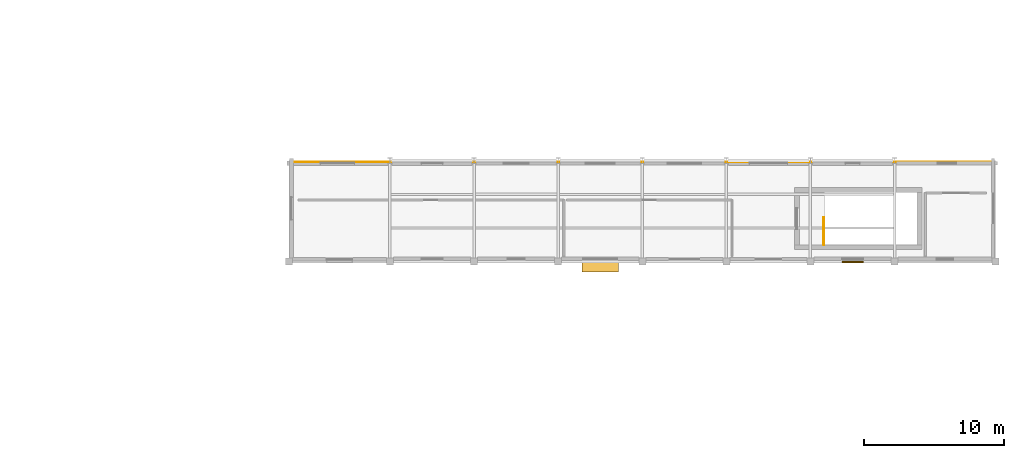
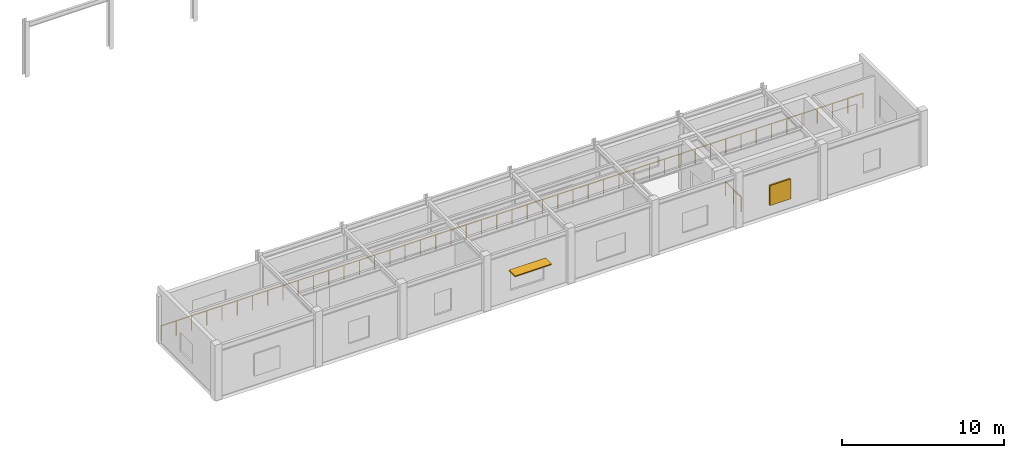
# One storey, part 47 of 47: 2 railings, 2 shading devices.
"""IFC4 building model written with IfcOpenShell, lengths in metres."""

from ifc_helpers import new_model, si_unit, direction, frame, origin, origin_2d, place, context, subcontext, project, spatial, rectangle, circle, extrude, material, layer, layer_set, type_object, element, save


model = new_model("IFC4")

# Units and contexts
model_context = context("Model", 3, precision=1e-05, world=origin(), true_north=direction((0.0, 1.0)))
body_context = subcontext(model_context, "Body", "Model", "MODEL_VIEW")
ifc_project = project(units=[si_unit("LENGTHUNIT", "METRE"), si_unit("AREAUNIT", "SQUARE_METRE"), si_unit("VOLUMEUNIT", "CUBIC_METRE"), si_unit("PLANEANGLEUNIT", "RADIAN"), si_unit("MASSUNIT", "GRAM", prefix="KILO")], contexts=[model_context])

# Site, building, storey
site_placement = place(None, origin())
site = spatial("IfcSite", under=ifc_project, at=site_placement, CompositionType="ELEMENT")
building_placement = place(site_placement, origin())
building = spatial("IfcBuilding", under=site, at=building_placement, Name="Brisavento Harbour Community Centre", CompositionType="ELEMENT")
storey_placement = place(building_placement, frame((0.0, 0.0, 8.699951171875)))
storey = spatial("IfcBuildingStorey", under=building, at=storey_placement, Name="L02", CompositionType="ELEMENT", Elevation=8.699951171875)

# Railings
ifc_material_1 = material(Name="Stainless steel 1.4401", Category="steel")
railing_type_1 = type_object("IfcRailingType", Name="RL-ATR-BAL", PredefinedType="BALUSTRADE", material=ifc_material_1)
railing_1_placement = place(storey_placement, frame((122.550048828125, 86.300048828125, 0.0)))
element("IfcRailing", 1, at=railing_1_placement, inside=storey, type_object=railing_type_1, Name="L02 atrium and gallery balustrade BAL-V4-UP-S", PredefinedType="BALUSTRADE", context=body_context, shape_type="SweptSolid", body=[
    extrude(circle(Radius=0.02392578125, at=origin_2d()), frame((0.0, 0.0, 1.09619140625), z_axis=(1.0, 0.0, 0.0), x_axis=(0.0, 1.0, 0.0)), (0.0, 0.0, 1.0), 50.099853515625),
    extrude(circle(Radius=0.02099609375, at=origin_2d()), origin(), (0.0, 0.0, 1.0), 1.072021484375),
    extrude(circle(Radius=0.02099609375, at=origin_2d()), frame((1.089111328125, 0.0, 0.0)), (0.0, 0.0, 1.0), 1.072021484375),
    extrude(circle(Radius=0.02099609375, at=origin_2d()), frame((2.17822265625, 0.0, 0.0)), (0.0, 0.0, 1.0), 1.072021484375),
    extrude(circle(Radius=0.02099609375, at=origin_2d()), frame((3.267333984375, 0.0, 0.0)), (0.0, 0.0, 1.0), 1.072021484375),
    extrude(circle(Radius=0.02099609375, at=origin_2d()), frame((4.3564453125, 0.0, 0.0)), (0.0, 0.0, 1.0), 1.072021484375),
    extrude(circle(Radius=0.02099609375, at=origin_2d()), frame((5.445556640625, 0.0, 0.0)), (0.0, 0.0, 1.0), 1.072021484375),
    extrude(circle(Radius=0.02099609375, at=origin_2d()), frame((6.53466796875, 0.0, 0.0)), (0.0, 0.0, 1.0), 1.072021484375),
    extrude(circle(Radius=0.02099609375, at=origin_2d()), frame((7.623779296875, 0.0, 0.0)), (0.0, 0.0, 1.0), 1.072021484375),
    extrude(circle(Radius=0.02099609375, at=origin_2d()), frame((8.713134765625, 0.0, 0.0)), (0.0, 0.0, 1.0), 1.072021484375),
    extrude(circle(Radius=0.02099609375, at=origin_2d()), frame((9.80224609375, 0.0, 0.0)), (0.0, 0.0, 1.0), 1.072021484375),
    extrude(circle(Radius=0.02099609375, at=origin_2d()), frame((10.891357421875, 0.0, 0.0)), (0.0, 0.0, 1.0), 1.072021484375),
    extrude(circle(Radius=0.02099609375, at=origin_2d()), frame((11.98046875, 0.0, 0.0)), (0.0, 0.0, 1.0), 1.072021484375),
    extrude(circle(Radius=0.02099609375, at=origin_2d()), frame((13.069580078125, 0.0, 0.0)), (0.0, 0.0, 1.0), 1.072021484375),
    extrude(circle(Radius=0.02099609375, at=origin_2d()), frame((14.15869140625, 0.0, 0.0)), (0.0, 0.0, 1.0), 1.072021484375),
    extrude(circle(Radius=0.02099609375, at=origin_2d()), frame((15.247802734375, 0.0, 0.0)), (0.0, 0.0, 1.0), 1.072021484375),
    extrude(circle(Radius=0.02099609375, at=origin_2d()), frame((16.3369140625, 0.0, 0.0)), (0.0, 0.0, 1.0), 1.072021484375),
    extrude(circle(Radius=0.02099609375, at=origin_2d()), frame((17.426025390625, 0.0, 0.0)), (0.0, 0.0, 1.0), 1.072021484375),
    extrude(circle(Radius=0.02099609375, at=origin_2d()), frame((18.51513671875, 0.0, 0.0)), (0.0, 0.0, 1.0), 1.072021484375),
    extrude(circle(Radius=0.02099609375, at=origin_2d()), frame((19.604248046875, 0.0, 0.0)), (0.0, 0.0, 1.0), 1.072021484375),
    extrude(circle(Radius=0.02099609375, at=origin_2d()), frame((20.693359375, 0.0, 0.0)), (0.0, 0.0, 1.0), 1.072021484375),
    extrude(circle(Radius=0.02099609375, at=origin_2d()), frame((21.782470703125, 0.0, 0.0)), (0.0, 0.0, 1.0), 1.072021484375),
    extrude(circle(Radius=0.02099609375, at=origin_2d()), frame((22.87158203125, 0.0, 0.0)), (0.0, 0.0, 1.0), 1.072021484375),
    extrude(circle(Radius=0.02099609375, at=origin_2d()), frame((23.960693359375, 0.0, 0.0)), (0.0, 0.0, 1.0), 1.072021484375),
    extrude(circle(Radius=0.02099609375, at=origin_2d()), frame((25.0498046875, 0.0, 0.0)), (0.0, 0.0, 1.0), 1.072021484375),
    extrude(circle(Radius=0.02099609375, at=origin_2d()), frame((26.13916015625, 0.0, 0.0)), (0.0, 0.0, 1.0), 1.072021484375),
    extrude(circle(Radius=0.02099609375, at=origin_2d()), frame((27.228271484375, 0.0, 0.0)), (0.0, 0.0, 1.0), 1.072021484375),
    extrude(circle(Radius=0.02099609375, at=origin_2d()), frame((28.3173828125, 0.0, 0.0)), (0.0, 0.0, 1.0), 1.072021484375),
    extrude(circle(Radius=0.02099609375, at=origin_2d()), frame((29.406494140625, 0.0, 0.0)), (0.0, 0.0, 1.0), 1.072021484375),
    extrude(circle(Radius=0.02099609375, at=origin_2d()), frame((30.49560546875, 0.0, 0.0)), (0.0, 0.0, 1.0), 1.072021484375),
    extrude(circle(Radius=0.02099609375, at=origin_2d()), frame((31.584716796875, 0.0, 0.0)), (0.0, 0.0, 1.0), 1.072021484375),
    extrude(circle(Radius=0.02099609375, at=origin_2d()), frame((32.673828125, 0.0, 0.0)), (0.0, 0.0, 1.0), 1.072021484375),
    extrude(circle(Radius=0.02099609375, at=origin_2d()), frame((33.762939453125, 0.0, 0.0)), (0.0, 0.0, 1.0), 1.072021484375),
    extrude(circle(Radius=0.02099609375, at=origin_2d()), frame((34.85205078125, 0.0, 0.0)), (0.0, 0.0, 1.0), 1.072021484375),
    extrude(circle(Radius=0.02099609375, at=origin_2d()), frame((35.941162109375, 0.0, 0.0)), (0.0, 0.0, 1.0), 1.072021484375),
    extrude(circle(Radius=0.02099609375, at=origin_2d()), frame((37.0302734375, 0.0, 0.0)), (0.0, 0.0, 1.0), 1.072021484375),
    extrude(circle(Radius=0.02099609375, at=origin_2d()), frame((38.119384765625, 0.0, 0.0)), (0.0, 0.0, 1.0), 1.072021484375),
    extrude(circle(Radius=0.02099609375, at=origin_2d()), frame((39.20849609375, 0.0, 0.0)), (0.0, 0.0, 1.0), 1.072021484375),
    extrude(circle(Radius=0.02099609375, at=origin_2d()), frame((40.297607421875, 0.0, 0.0)), (0.0, 0.0, 1.0), 1.072021484375),
    extrude(circle(Radius=0.02099609375, at=origin_2d()), frame((41.38671875, 0.0, 0.0)), (0.0, 0.0, 1.0), 1.072021484375),
    extrude(circle(Radius=0.02099609375, at=origin_2d()), frame((42.47607421875, 0.0, 0.0)), (0.0, 0.0, 1.0), 1.072021484375),
    extrude(circle(Radius=0.02099609375, at=origin_2d()), frame((43.565185546875, 0.0, 0.0)), (0.0, 0.0, 1.0), 1.072021484375),
    extrude(circle(Radius=0.02099609375, at=origin_2d()), frame((44.654296875, 0.0, 0.0)), (0.0, 0.0, 1.0), 1.072021484375),
    extrude(circle(Radius=0.02099609375, at=origin_2d()), frame((45.743408203125, 0.0, 0.0)), (0.0, 0.0, 1.0), 1.072021484375),
    extrude(circle(Radius=0.02099609375, at=origin_2d()), frame((46.83251953125, 0.0, 0.0)), (0.0, 0.0, 1.0), 1.072021484375),
    extrude(circle(Radius=0.02099609375, at=origin_2d()), frame((47.921630859375, 0.0, 0.0)), (0.0, 0.0, 1.0), 1.072021484375),
    extrude(circle(Radius=0.02099609375, at=origin_2d()), frame((49.0107421875, 0.0, 0.0)), (0.0, 0.0, 1.0), 1.072021484375),
    extrude(circle(Radius=0.02099609375, at=origin_2d()), frame((50.099853515625, 0.0, 0.0)), (0.0, 0.0, 1.0), 1.072021484375),
])
railing_type_2 = type_object("IfcRailingType", Name="RL-ST-GUARD", PredefinedType="GUARDRAIL", material=ifc_material_1)
railing_2_placement = place(storey_placement, frame((160.550048828125, 80.39990234375, 0.0)))
element("IfcRailing", 2, at=railing_2_placement, inside=storey, type_object=railing_type_2, Name="L02 ST-06 top well guard 1", PredefinedType="GUARDRAIL", context=body_context, shape_type="SweptSolid", body=[
    extrude(circle(Radius=0.02392578125, at=origin_2d()), frame((0.0, 0.0, 1.076171875), z_axis=(0.0, 1.0, 0.0), x_axis=(-1.0, 0.0, 0.0)), (0.0, 0.0, 1.0), 1.9501953125),
    extrude(circle(Radius=0.02099609375, at=origin_2d()), origin(), (0.0, 0.0, 1.0), 1.052001953125),
    extrude(circle(Radius=0.02099609375, at=origin_2d()), frame((0.0, 0.97509765625, 0.0)), (0.0, 0.0, 1.0), 1.052001953125),
    extrude(circle(Radius=0.02099609375, at=origin_2d()), frame((0.0, 1.9501953125, 0.0)), (0.0, 0.0, 1.0), 1.052001953125),
])

# Shading devices
ifc_material_2 = material(Name="Off-white precast concrete C40/50", Category="concrete")
ifc_layer_1 = layer(ifc_material_2, 0.080078125, Name="Off-white precast concrete C40/50")
ifc_layer_set_1 = layer_set([ifc_layer_1], Name="Off-white precast concrete C40/50")
shading_device_type_1 = type_object("IfcShadingDeviceType", Name="SHD-BLADE", PredefinedType="USERDEFINED", material=ifc_layer_set_1)
shading_device_1_placement = place(storey_placement, frame((144.60009765625, 78.85009765625, 2.260009765625), z_axis=(0.0, 0.0, 1.0), x_axis=(-1.0, 0.0, 0.0)))
element("IfcShadingDevice", 3, at=shading_device_1_placement, inside=storey, type_object=shading_device_type_1, Name="L02 precast storm sunshade blade 35", ObjectType="SUNSHADE BLADE", PredefinedType="USERDEFINED", context=body_context, shape_type="SweptSolid", body=[
    extrude(rectangle(XDim=2.60009765625, YDim=0.75, at=origin_2d()), origin(), (0.0, 0.0, 1.0), 0.080078125),
])
ifc_material_3 = material(Name="Marine-anodised aluminium AW-6063-T6", Category="aluminium")
ifc_layer_2 = layer(ifc_material_3, 0.1201171875, Name="Marine-anodised aluminium AW-6063-T6")
ifc_layer_set_2 = layer_set([ifc_layer_2], Name="Marine-anodised aluminium AW-6063-T6")
shading_device_type_2 = type_object("IfcShadingDeviceType", Name="SHD-LOUVRE", PredefinedType="JALOUSIE", material=ifc_layer_set_2)
shading_device_2_placement = place(storey_placement, frame((162.60009765625, 79.18505859375, 0.75), z_axis=(0.0, 0.0, 1.0), x_axis=(-1.0, 0.0, 0.0)))
element("IfcShadingDevice", 4, at=shading_device_2_placement, inside=storey, type_object=shading_device_type_2, Name="L02 hurricane storm louvre 34", PredefinedType="JALOUSIE", context=body_context, shape_type="SweptSolid", body=[
    extrude(rectangle(XDim=1.5, YDim=0.1201171875, at=origin_2d()), origin(), (0.0, 0.0, 1.0), 1.5),
])

save(model, "model.ifc")
